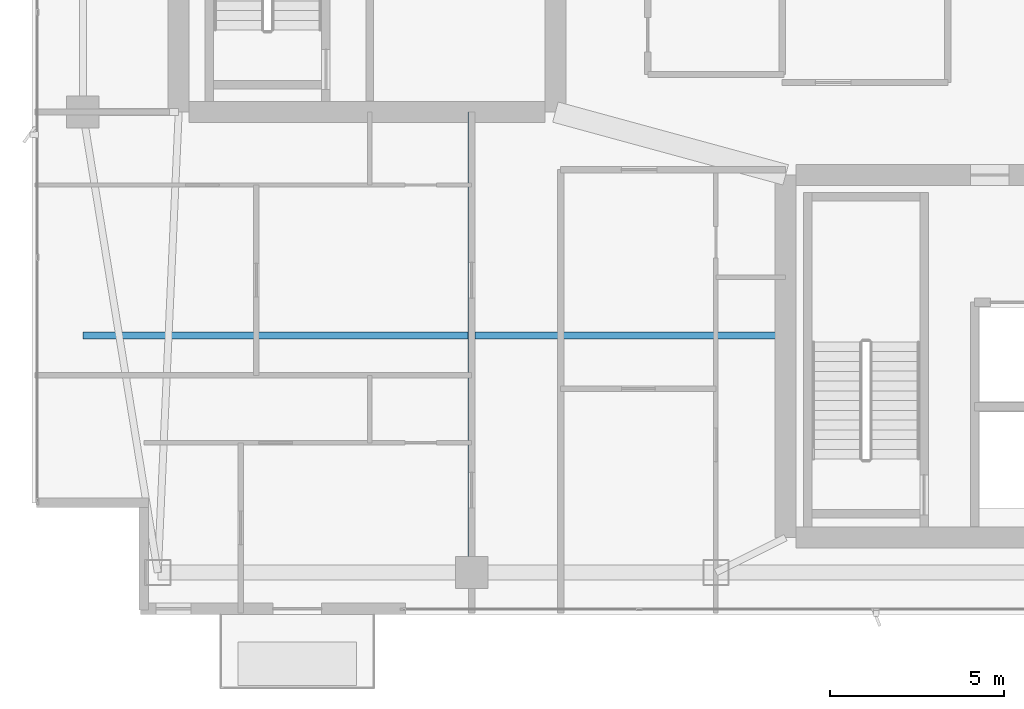
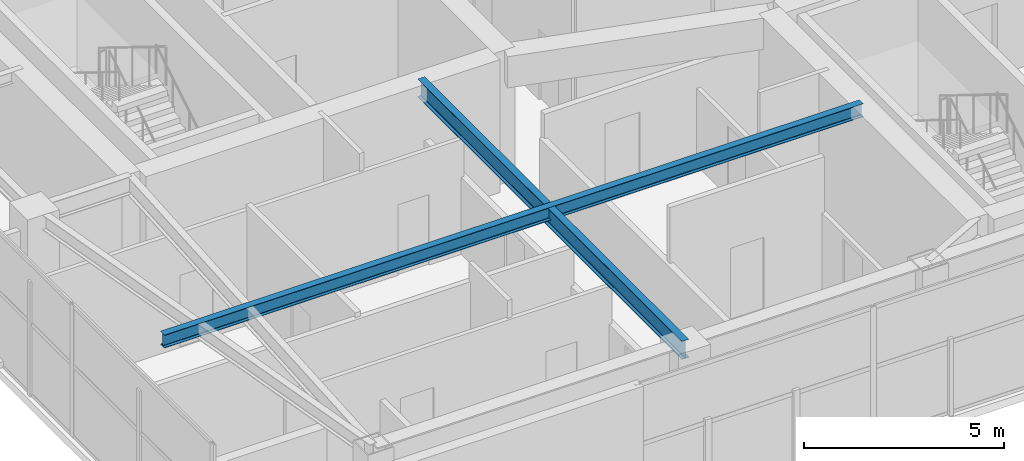
# One storey, part 5 of 26: 2 beams.
"""IFC4 building model written with IfcOpenShell, lengths in metres."""

from ifc_helpers import new_model, si_unit, direction, frame, origin, origin_2d, place, context, subcontext, project, spatial, i_section, extrude, material, material_profile, profile_set, type_object, element, save


model = new_model("IFC4")

# Units and contexts
model_context = context("Model", 3, precision=1e-05, world=origin(), true_north=direction((0.0, 1.0)))
body_context = subcontext(model_context, "Body", "Model", "MODEL_VIEW")
ifc_project = project(units=[si_unit("LENGTHUNIT", "METRE"), si_unit("AREAUNIT", "SQUARE_METRE"), si_unit("VOLUMEUNIT", "CUBIC_METRE"), si_unit("PLANEANGLEUNIT", "RADIAN"), si_unit("MASSUNIT", "GRAM", prefix="KILO")], contexts=[model_context])

# Site, building, storey
site_placement = place(None, origin())
site = spatial("IfcSite", under=ifc_project, at=site_placement, CompositionType="ELEMENT")
building_placement = place(site_placement, origin())
building = spatial("IfcBuilding", under=site, at=building_placement, Name="Calvorn Quay Hotel", CompositionType="ELEMENT")
storey_placement = place(building_placement, frame((0.0, 0.0, 302.5)))
storey = spatial("IfcBuildingStorey", under=building, at=storey_placement, Name="L75", CompositionType="ELEMENT", Elevation=302.5)

# Beams
ifc_material_1 = material(Name="Steel Q355B", Category="steel")
ifc_material_profile_1 = material_profile(ifc_material_1, i_section(OverallWidth=0.199951171875, OverallDepth=0.550048828125, WebThickness=0.010009765625, FlangeThickness=0.01611328125, FilletRadius=0.01806640625, at=origin_2d()), Name="HN550x200x10x16")
ifc_profile_set_1 = profile_set([ifc_material_profile_1], Name="Steel Q355B")
beam_type_1 = type_object("IfcBeamType", Name="BM-GIRD-UPP", PredefinedType="BEAM", material=ifc_profile_set_1)
beam_1_placement = place(storey_placement, frame((12.60009765625, 3.60009765625, 3.77490234375), z_axis=(0.0, 1.0, 0.0), x_axis=(-1.0, 0.0, 0.0)))
element("IfcBeam", 1, at=beam_1_placement, inside=storey, type_object=beam_type_1, Name="Beam BG-L75-S1", PredefinedType="BEAM", context=body_context, shape_type="SweptSolid", body=[
    extrude(i_section(OverallWidth=0.199951171875, OverallDepth=0.550048828125, WebThickness=0.010009765625, FlangeThickness=0.01611328125, FilletRadius=0.01806640625, at=origin_2d()), origin(), (0.0, 0.0, 1.0), 13.199951171875),
])
ifc_material_2 = material(Name="Steel Q355B", Category="steel")
ifc_material_profile_2 = material_profile(ifc_material_2, i_section(OverallWidth=0.199951171875, OverallDepth=0.39990234375, WebThickness=0.008056640625, FlangeThickness=0.012939453125, FilletRadius=0.01611328125, at=origin_2d()), Name="HN400x200x8x13")
ifc_profile_set_2 = profile_set([ifc_material_profile_2], Name="Steel Q355B")
beam_type_2 = type_object("IfcBeamType", Name="BM-JOIST-TYP", PredefinedType="JOIST", material=ifc_profile_set_2)
beam_2_placement = place(storey_placement, frame((1.449951171875, 10.39990234375, 3.85009765625), z_axis=(1.0, 0.0, 0.0), x_axis=(0.0, 1.0, 0.0)))
element("IfcBeam", 2, at=beam_2_placement, inside=storey, type_object=beam_type_2, Name="Beam BJ-L75-W1", PredefinedType="JOIST", context=body_context, shape_type="SweptSolid", body=[
    extrude(i_section(OverallWidth=0.199951171875, OverallDepth=0.39990234375, WebThickness=0.008056640625, FlangeThickness=0.012939453125, FilletRadius=0.01611328125, at=origin_2d()), origin(), (0.0, 0.0, 1.0), 20.150146484375),
])

save(model, "model.ifc")
